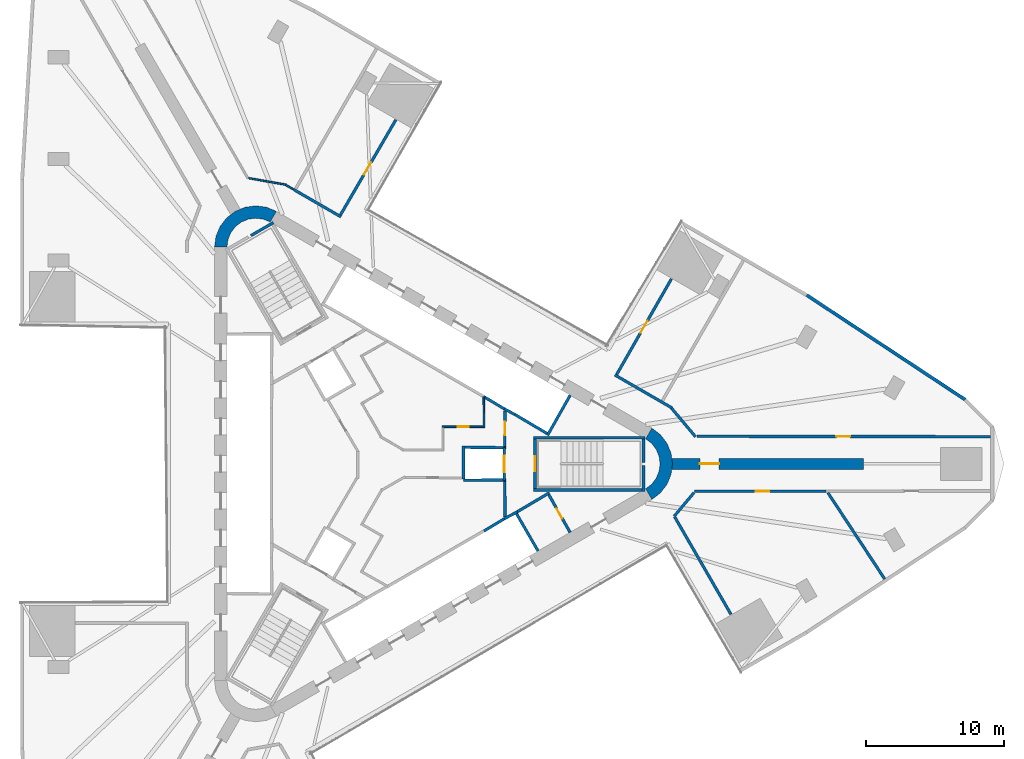
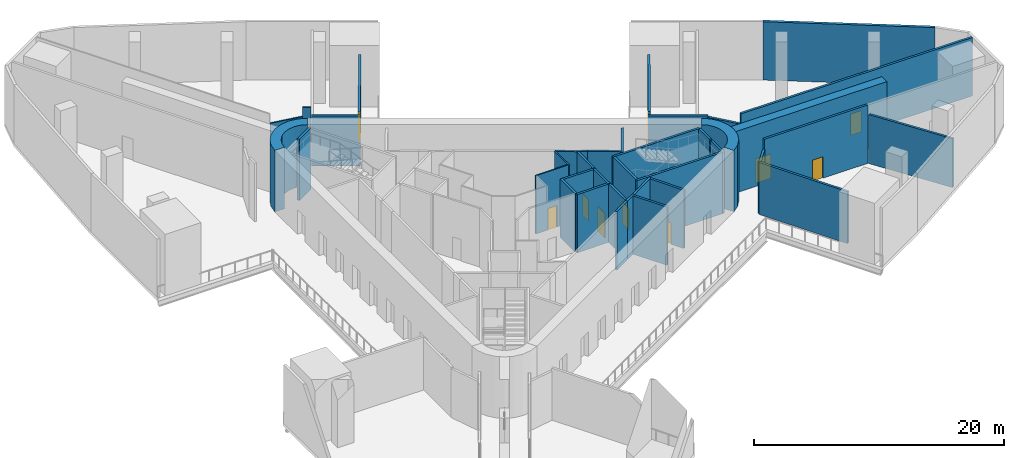
# One storey, part 6 of 11: 39 walls, 10 doors, 10 openings.
"""IFC4 building model written with IfcOpenShell, lengths in metres."""

from ifc_helpers import new_model, si_unit, direction, frame, frame_2d, origin, place, context, subcontext, project, spatial, polyline, rectangle, outline, extrude, material, layer, layer_set, type_object, element, fill, save


model = new_model("IFC4")

# Units and contexts
model_context = context("Model", 3, precision=1e-05, world=origin(), true_north=direction((0.0, 1.0)))
body_context = subcontext(model_context, "Body", "Model", "MODEL_VIEW")
ifc_project = project(units=[si_unit("LENGTHUNIT", "METRE"), si_unit("AREAUNIT", "SQUARE_METRE"), si_unit("VOLUMEUNIT", "CUBIC_METRE"), si_unit("PLANEANGLEUNIT", "RADIAN"), si_unit("MASSUNIT", "GRAM", prefix="KILO")], contexts=[model_context])

# Site, building, storey
site_placement = place(None, origin())
site = spatial("IfcSite", under=ifc_project, at=site_placement, CompositionType="ELEMENT")
building_placement = place(site_placement, origin())
building = spatial("IfcBuilding", under=site, at=building_placement, Name="Tanit Gate Tower", CompositionType="ELEMENT")
storey_placement = place(building_placement, frame((0.0, 0.0, 21.5)))
storey = spatial("IfcBuildingStorey", under=building, at=storey_placement, Name="L03", CompositionType="ELEMENT", Elevation=21.5)

# Wall, opening, door
ifc_material_1 = material(Name="Concrete C60/75", Category="concrete")
ifc_layer_1 = layer(ifc_material_1, 0.800048828125)
ifc_layer_set_1 = layer_set([ifc_layer_1], Name="BUTTRESS FIN 800 C60/75")
wall_type_1 = type_object("IfcWallType", Name="BUTTRESS FIN 800 C60/75", PredefinedType="SHEAR", material=ifc_layer_set_1)
wall_1_placement = place(storey_placement, frame((21.14990234375, 0.0, 0.0), z_axis=(0.0, 0.0, 1.0), x_axis=(1.0, 0.0, 0.0)))
wall_1 = element("IfcWall", 1, at=wall_1_placement, inside=storey, type_object=wall_type_1, Name="BUTTRESS FIN", PredefinedType="SHEAR", context=body_context, shape_type="SweptSolid", body=[
    extrude(rectangle(XDim=13.9541015625, YDim=0.800048828125, at=frame_2d((6.97705078125, 0.0))), origin(), (0.0, 0.0, 1.0), 6.0),
])
opening_1_placement = place(wall_1_placement, frame((2.050048828125, 0.0, 0.0)))
opening_1 = element("IfcOpeningElement", 2, at=opening_1_placement, cuts=wall_1, Name="Opening P14-03-F-E-1", PredefinedType="OPENING", context=body_context, shape_type="SweptSolid", body=[
    extrude(rectangle(XDim=1.39990234375, YDim=2.39990234375, at=frame_2d((0.699951171875, 1.199951171875))), frame((0.0, 0.41015625, 0.0), z_axis=(0.0, -1.0, 0.0), x_axis=(1.0, 0.0, 0.0)), (0.0, 0.0, 1.0), 0.820068359375),
])
ifc_material_2 = material(Name="Timber door leaf", Category="wood")
door_type_1 = type_object("IfcDoorType", Name="INT-DOOR-FIN-PAIR-1400", OperationType="NOTDEFINED", PredefinedType="NOTDEFINED", material=ifc_material_2)
door_1_placement = place(opening_1_placement, origin())
door_1 = element("IfcDoor", 3, at=door_1_placement, inside=storey, type_object=door_type_1, Name="Door P14-03-F-E-1", OperationType="DOUBLE_DOOR_SINGLE_SWING", OverallHeight=2.39990234375, OverallWidth=1.39990234375, PredefinedType="NOTDEFINED", context=body_context, shape_type="SweptSolid", body=[
    extrude(rectangle(XDim=1.39990234375, YDim=2.39990234375, at=frame_2d((0.699951171875, 1.199951171875))), frame((0.0, 0.02490234375, 0.0), z_axis=(0.0, -1.0, 0.0), x_axis=(1.0, 0.0, 0.0)), (0.0, 0.0, 1.0), 0.050048828125),
])
fill(opening_1, door_1)

# Walls
ifc_material_3 = material(Name="Concrete C60/75", Category="concrete")
ifc_layer_2 = layer(ifc_material_3, 0.89990234375)
ifc_layer_set_2 = layer_set([ifc_layer_2], Name="CORE WALL 900 C60/75")
wall_type_2 = type_object("IfcWallType", Name="CORE WALL 900 C60/75", PredefinedType="SHEAR", material=ifc_layer_set_2)
wall_2_placement = place(storey_placement, origin())
element("IfcWall", 4, at=wall_2_placement, inside=storey, type_object=wall_type_2, Name="CORE WALL CORNER", PredefinedType="SHEAR", context=body_context, shape_type="SweptSolid", body=[
    extrude(outline(polyline([(-7.60009765625, 18.359619140625), (-8.323486328125, 18.659423828125), (-9.10009765625, 18.76171875), (-9.87646484375, 18.659423828125), (-10.60009765625, 18.359619140625), (-11.22119140625, 17.883056640625), (-11.697998046875, 17.26171875), (-11.997802734375, 16.5380859375), (-12.10009765625, 15.76171875), (-11.199951171875, 15.76171875), (-11.12841796875, 16.30517578125), (-10.918701171875, 16.811767578125), (-10.5849609375, 17.24658203125), (-10.14990234375, 17.580322265625), (-9.6435546875, 17.7900390625), (-9.10009765625, 17.86181640625), (-8.556396484375, 17.7900390625), (-8.050048828125, 17.580322265625), (-7.60009765625, 18.359619140625)])), origin(), (0.0, 0.0, 1.0), 6.0),
])
wall_3_placement = place(storey_placement, origin())
element("IfcWall", 5, at=wall_3_placement, inside=storey, type_object=wall_type_2, Name="CORE WALL CORNER", PredefinedType="SHEAR", context=body_context, shape_type="SweptSolid", body=[
    extrude(outline(polyline([(19.699951171875, -2.59814453125), (20.3212890625, -2.121337890625), (20.798095703125, -1.5), (21.097900390625, -0.776611328125), (21.199951171875, 0.0), (21.097900390625, 0.776611328125), (20.798095703125, 1.5), (20.3212890625, 2.121337890625), (19.699951171875, 2.59814453125), (19.25, 1.818603515625), (19.684814453125, 1.48486328125), (20.018798828125, 1.050048828125), (20.228515625, 0.54345703125), (20.300048828125, 0.0), (20.228515625, -0.54345703125), (20.018798828125, -1.050048828125), (19.684814453125, -1.48486328125), (19.25, -1.818603515625), (19.699951171875, -2.59814453125)])), origin(), (0.0, 0.0, 1.0), 6.0),
])
ifc_material_4 = material(Name="Concrete C30/37 with bronze anodised aluminium cladding", Category="concrete")
ifc_layer_3 = layer(ifc_material_4, 0.239990234375)
ifc_layer_set_3 = layer_set([ifc_layer_3], Name="Facade wall bronze clad 240")
wall_type_3 = type_object("IfcWallType", Name="Facade wall bronze clad 240", PredefinedType="SOLIDWALL", material=ifc_layer_set_3)
wall_4_placement = place(storey_placement, frame((42.4873046875, 4.665771484375, 0.0), z_axis=(0.0, 0.0, 1.0), x_axis=(-0.834569880428, 0.550902091739, 0.0)))
element("IfcWall", 6, at=wall_4_placement, inside=storey, type_object=wall_type_3, Name="Bronze-clad facade wall L03 NE1", PredefinedType="SOLIDWALL", context=body_context, shape_type="SweptSolid", body=[
    extrude(rectangle(XDim=13.801513671875, YDim=0.239990234375, at=frame_2d((6.90087890625, 0.0))), origin(), (0.0, 0.0, 1.0), 5.699951171875),
])
ifc_material_5 = material(Name="Fire-rated gypsum board partition")
ifc_layer_4 = layer(ifc_material_5, 0.199951171875)
ifc_layer_set_4 = layer_set([ifc_layer_4], Name="INT-WALL-COMPARTMENT")
wall_type_4 = type_object("IfcWallType", Name="INT-WALL-COMPARTMENT", PredefinedType="PARTITIONING", material=ifc_layer_set_4)
wall_5_placement = place(storey_placement, frame((12.244873046875, -2.10888671875, 0.0), z_axis=(0.0, 0.0, 1.0), x_axis=(-0.860414880418, -0.509594185166, 0.0)))
element("IfcWall", 7, at=wall_5_placement, inside=storey, type_object=wall_type_4, Name="Wall Compartment W060", PredefinedType="PARTITIONING", context=body_context, shape_type="SweptSolid", body=[
    extrude(rectangle(XDim=2.7001953125, YDim=0.199951171875, at=frame_2d((1.35009765625, 0.0))), origin(), (0.0, 0.0, 1.0), 5.699951171875),
])

# Wall, opening, door
wall_6_placement = place(storey_placement, frame((13.758056640625, -4.989501953125, 0.0), z_axis=(0.0, 0.0, 1.0), x_axis=(-0.491993409184, 0.87059892334, 0.0)))
wall_6 = element("IfcWall", 8, at=wall_6_placement, inside=storey, type_object=wall_type_4, Name="Wall Compartment W061", PredefinedType="PARTITIONING", context=body_context, shape_type="SweptSolid", body=[
    extrude(rectangle(XDim=3.150146484375, YDim=0.199951171875, at=frame_2d((1.5751953125, 0.0))), origin(), (0.0, 0.0, 1.0), 5.699951171875),
])
opening_2_placement = place(wall_6_placement, frame((1.175048828125, 0.0, 0.0)))
opening_2 = element("IfcOpeningElement", 9, at=opening_2_placement, cuts=wall_6, Name="Opening R08-03-13", PredefinedType="OPENING", context=body_context, shape_type="SweptSolid", body=[
    extrude(rectangle(XDim=0.800048828125, YDim=2.10009765625, at=frame_2d((0.39990234375, 1.050048828125))), frame((0.0, 0.10986328125, 0.0), z_axis=(0.0, -1.0, 0.0), x_axis=(1.0, 0.0, 0.0)), (0.0, 0.0, 1.0), 0.219970703125),
])
ifc_material_6 = material(Name="Timber door leaf", Category="wood")
door_type_2 = type_object("IfcDoorType", Name="INT-DOOR-RISER-800", OperationType="NOTDEFINED", PredefinedType="USERDEFINED", material=ifc_material_6)
door_2_placement = place(opening_2_placement, origin())
door_2 = element("IfcDoor", 10, at=door_2_placement, inside=storey, type_object=door_type_2, Name="Door R08-03-13", ObjectType="FIRE DOOR", OperationType="SINGLE_SWING_RIGHT", OverallHeight=2.10009765625, OverallWidth=0.800048828125, PredefinedType="USERDEFINED", context=body_context, shape_type="SweptSolid", body=[
    extrude(rectangle(XDim=0.800048828125, YDim=2.10009765625, at=frame_2d((0.39990234375, 1.050048828125))), frame((0.0, 0.02490234375, 0.0), z_axis=(0.0, -1.0, 0.0), x_axis=(1.0, 0.0, 0.0)), (0.0, 0.0, 1.0), 0.050048828125),
])
fill(opening_2, door_2)

# Wall
wall_7_placement = place(storey_placement, frame((9.02880859375, -3.8505859375, 0.0), z_axis=(0.0, 0.0, 1.0), x_axis=(-0.010784614026, 0.999941844359, 0.0)))
element("IfcWall", 11, at=wall_7_placement, inside=storey, type_object=wall_type_4, Name="Wall Compartment W062", PredefinedType="PARTITIONING", context=body_context, shape_type="SweptSolid", body=[
    extrude(rectangle(XDim=2.580810546875, YDim=0.199951171875, at=frame_2d((1.29052734375, 0.0))), origin(), (0.0, 0.0, 1.0), 5.699951171875),
])

# Wall, opening, door
wall_8_placement = place(storey_placement, frame((9.0009765625, 1.27001953125, 0.0), z_axis=(0.0, 0.0, 1.0), x_axis=(0.010783593937, 0.99994185536, 0.0)))
wall_8 = element("IfcWall", 12, at=wall_8_placement, inside=storey, type_object=wall_type_4, Name="Wall Compartment W063", PredefinedType="PARTITIONING", context=body_context, shape_type="SweptSolid", body=[
    extrude(rectangle(XDim=2.5810546875, YDim=0.199951171875, at=frame_2d((1.29052734375, 0.0))), origin(), (0.0, 0.0, 1.0), 5.699951171875),
])
opening_3_placement = place(wall_8_placement, frame((0.79052734375, 0.0, 0.0)))
opening_3 = element("IfcOpeningElement", 13, at=opening_3_placement, cuts=wall_8, Name="Opening F10-03-02", PredefinedType="OPENING", context=body_context, shape_type="SweptSolid", body=[
    extrude(rectangle(XDim=1.0, YDim=2.10009765625, at=frame_2d((0.5, 1.050048828125))), frame((0.0, 0.10986328125, 0.0), z_axis=(0.0, -1.0, 0.0), x_axis=(1.0, 0.0, 0.0)), (0.0, 0.0, 1.0), 0.219970703125),
])
ifc_material_7 = material(Name="Fire-rated steel door leaf", Category="steel")
door_type_3 = type_object("IfcDoorType", Name="INT-DOOR-FIRE-1000", OperationType="NOTDEFINED", PredefinedType="USERDEFINED", material=ifc_material_7)
door_3_placement = place(opening_3_placement, origin())
door_3 = element("IfcDoor", 14, at=door_3_placement, inside=storey, type_object=door_type_3, Name="Door F10-03-02", ObjectType="FIRE DOOR", OperationType="SINGLE_SWING_LEFT", OverallHeight=2.10009765625, OverallWidth=1.0, PredefinedType="USERDEFINED", context=body_context, shape_type="SweptSolid", body=[
    extrude(rectangle(XDim=1.0, YDim=2.10009765625, at=frame_2d((0.5, 1.050048828125))), frame((0.0, 0.02490234375, 0.0), z_axis=(0.0, -1.0, 0.0), x_axis=(1.0, 0.0, 0.0)), (0.0, 0.0, 1.0), 0.050048828125),
])
fill(opening_3, door_3)

# Walls
wall_9_placement = place(storey_placement, frame((21.16064453125, 4.064208984375, 0.0), z_axis=(0.0, 0.0, 1.0), x_axis=(-0.865926843533, 0.500170672519, 0.0)))
element("IfcWall", 15, at=wall_9_placement, inside=storey, type_object=wall_type_4, Name="Wall Compartment W100", PredefinedType="PARTITIONING", context=body_context, shape_type="SweptSolid", body=[
    extrude(rectangle(XDim=4.793212890625, YDim=0.199951171875, at=frame_2d((2.396484375, 0.0))), origin(), (0.0, 0.0, 1.0), 4.8798828125),
])
wall_10_placement = place(storey_placement, frame((-2.908935546875, 17.9619140625, 0.0), z_axis=(0.0, 0.0, 1.0), x_axis=(-0.866156637233, 0.499772628079, 0.0)))
element("IfcWall", 16, at=wall_10_placement, inside=storey, type_object=wall_type_4, Name="Wall Compartment W105", PredefinedType="PARTITIONING", context=body_context, shape_type="SweptSolid", body=[
    extrude(rectangle(XDim=3.931396484375, YDim=0.199951171875, at=frame_2d((1.9658203125, 0.0))), origin(), (0.0, 0.0, 1.0), 4.8798828125),
])
wall_11_placement = place(storey_placement, frame((22.878662109375, 1.96435546875, 0.0), z_axis=(0.0, 0.0, 1.0), x_axis=(-0.642912827124, 0.765939355771, 0.0)))
element("IfcWall", 17, at=wall_11_placement, inside=storey, type_object=wall_type_4, Name="Wall Compartment W101", PredefinedType="PARTITIONING", context=body_context, shape_type="SweptSolid", body=[
    extrude(rectangle(XDim=2.706787109375, YDim=0.199951171875, at=frame_2d((1.353515625, 0.0))), origin(), (0.0, 0.0, 1.0), 4.780029296875),
])

# Wall, opening, door
wall_12_placement = place(storey_placement, frame((22.9794921875, 1.999755859375, 0.0), z_axis=(0.0, 0.0, 1.0), x_axis=(0.999999106495, -0.001336790278, 0.0)))
wall_12 = element("IfcWall", 18, at=wall_12_placement, inside=storey, type_object=wall_type_4, Name="Wall Compartment W102", PredefinedType="PARTITIONING", context=body_context, shape_type="SweptSolid", body=[
    extrude(rectangle(XDim=21.367919921875, YDim=0.199951171875, at=frame_2d((10.68408203125, 0.0))), origin(), (0.0, 0.0, 1.0), 5.699951171875),
])
opening_4_placement = place(wall_12_placement, frame((10.134033203125, 0.0, 0.0)))
opening_4 = element("IfcOpeningElement", 19, at=opening_4_placement, cuts=wall_12, Name="Opening F10-03-17", PredefinedType="OPENING", context=body_context, shape_type="SweptSolid", body=[
    extrude(rectangle(XDim=1.0, YDim=2.10009765625, at=frame_2d((0.5, 1.050048828125))), frame((0.0, 0.10986328125, 0.0), z_axis=(0.0, -1.0, 0.0), x_axis=(1.0, 0.0, 0.0)), (0.0, 0.0, 1.0), 0.219970703125),
])
door_4_placement = place(opening_4_placement, origin())
door_4 = element("IfcDoor", 20, at=door_4_placement, inside=storey, type_object=door_type_3, Name="Door F10-03-17", ObjectType="FIRE DOOR", OperationType="SINGLE_SWING_RIGHT", OverallHeight=2.10009765625, OverallWidth=1.0, PredefinedType="USERDEFINED", context=body_context, shape_type="SweptSolid", body=[
    extrude(rectangle(XDim=1.0, YDim=2.10009765625, at=frame_2d((0.5, 1.050048828125))), frame((0.0, 0.02490234375, 0.0), z_axis=(0.0, -1.0, 0.0), x_axis=(1.0, 0.0, 0.0)), (0.0, 0.0, 1.0), 0.050048828125),
])
fill(opening_4, door_4)

wall_13_placement = place(storey_placement, frame((17.146240234375, 6.49853515625, 0.0), z_axis=(0.0, 0.0, 1.0), x_axis=(0.496772917321, 0.867880561262, 0.0)))
wall_13 = element("IfcWall", 21, at=wall_13_placement, inside=storey, type_object=wall_type_4, Name="Wall Compartment W103", PredefinedType="PARTITIONING", context=body_context, shape_type="SweptSolid", body=[
    extrude(rectangle(XDim=8.00244140625, YDim=0.199951171875, at=frame_2d((4.001220703125, 0.0))), origin(), (0.0, 0.0, 1.0), 5.169921875),
])
opening_5_placement = place(wall_13_placement, frame((3.498779296875, 0.0, 0.0)))
opening_5 = element("IfcOpeningElement", 22, at=opening_5_placement, cuts=wall_13, Name="Opening F10-03-18", PredefinedType="OPENING", context=body_context, shape_type="SweptSolid", body=[
    extrude(rectangle(XDim=1.0, YDim=2.10009765625, at=frame_2d((0.5, 1.050048828125))), frame((0.0, 0.10986328125, 0.0), z_axis=(0.0, -1.0, 0.0), x_axis=(1.0, 0.0, 0.0)), (0.0, 0.0, 1.0), 0.219970703125),
])
door_5_placement = place(opening_5_placement, origin())
door_5 = element("IfcDoor", 23, at=door_5_placement, inside=storey, type_object=door_type_3, Name="Door F10-03-18", ObjectType="FIRE DOOR", OperationType="SINGLE_SWING_LEFT", OverallHeight=2.10009765625, OverallWidth=1.0, PredefinedType="USERDEFINED", context=body_context, shape_type="SweptSolid", body=[
    extrude(rectangle(XDim=1.0, YDim=2.10009765625, at=frame_2d((0.5, 1.050048828125))), frame((0.0, 0.02490234375, 0.0), z_axis=(0.0, -1.0, 0.0), x_axis=(1.0, 0.0, 0.0)), (0.0, 0.0, 1.0), 0.050048828125),
])
fill(opening_5, door_5)

wall_14_placement = place(storey_placement, frame((-2.9453125, 18.098388671875, 0.0), z_axis=(0.0, 0.0, 1.0), x_axis=(0.503235430028, 0.864149351654, 0.0)))
wall_14 = element("IfcWall", 24, at=wall_14_placement, inside=storey, type_object=wall_type_4, Name="Wall Compartment W106", PredefinedType="PARTITIONING", context=body_context, shape_type="SweptSolid", body=[
    extrude(rectangle(XDim=8.00244140625, YDim=0.199951171875, at=frame_2d((4.001220703125, 0.0))), origin(), (0.0, 0.0, 1.0), 5.169921875),
])
opening_6_placement = place(wall_14_placement, frame((3.40234375, 0.0, 0.0)))
opening_6 = element("IfcOpeningElement", 25, at=opening_6_placement, cuts=wall_14, Name="Opening F10-03-19", PredefinedType="OPENING", context=body_context, shape_type="SweptSolid", body=[
    extrude(rectangle(XDim=1.0, YDim=2.10009765625, at=frame_2d((0.5, 1.050048828125))), frame((0.0, 0.10986328125, 0.0), z_axis=(0.0, -1.0, 0.0), x_axis=(1.0, 0.0, 0.0)), (0.0, 0.0, 1.0), 0.219970703125),
])
door_6_placement = place(opening_6_placement, origin())
door_6 = element("IfcDoor", 26, at=door_6_placement, inside=storey, type_object=door_type_3, Name="Door F10-03-19", ObjectType="FIRE DOOR", OperationType="SINGLE_SWING_RIGHT", OverallHeight=2.10009765625, OverallWidth=1.0, PredefinedType="USERDEFINED", context=body_context, shape_type="SweptSolid", body=[
    extrude(rectangle(XDim=1.0, YDim=2.10009765625, at=frame_2d((0.5, 1.050048828125))), frame((0.0, 0.02490234375, 0.0), z_axis=(0.0, -1.0, 0.0), x_axis=(1.0, 0.0, 0.0)), (0.0, 0.0, 1.0), 0.050048828125),
])
fill(opening_6, door_6)

wall_15_placement = place(storey_placement, frame((32.374755859375, -2.0, 0.0), z_axis=(0.0, 0.0, 1.0), x_axis=(-1.0, 0.0, 0.0)))
wall_15 = element("IfcWall", 27, at=wall_15_placement, inside=storey, type_object=wall_type_4, Name="Wall Compartment W116", PredefinedType="PARTITIONING", context=body_context, shape_type="SweptSolid", body=[
    extrude(rectangle(XDim=9.57275390625, YDim=0.199951171875, at=frame_2d((4.786376953125, 0.0))), origin(), (0.0, 0.0, 1.0), 5.699951171875),
])
opening_7_placement = place(wall_15_placement, frame((4.126708984375, 0.0, 0.0)))
opening_7 = element("IfcOpeningElement", 28, at=opening_7_placement, cuts=wall_15, Name="Opening F10-03-23", PredefinedType="OPENING", context=body_context, shape_type="SweptSolid", body=[
    extrude(rectangle(XDim=1.0, YDim=2.10009765625, at=frame_2d((0.5, 1.050048828125))), frame((0.0, 0.10986328125, 0.0), z_axis=(0.0, -1.0, 0.0), x_axis=(1.0, 0.0, 0.0)), (0.0, 0.0, 1.0), 0.219970703125),
])
door_7_placement = place(opening_7_placement, origin())
door_7 = element("IfcDoor", 29, at=door_7_placement, inside=storey, type_object=door_type_3, Name="Door F10-03-23", ObjectType="FIRE DOOR", OperationType="SINGLE_SWING_LEFT", OverallHeight=2.10009765625, OverallWidth=1.0, PredefinedType="USERDEFINED", context=body_context, shape_type="SweptSolid", body=[
    extrude(rectangle(XDim=1.0, YDim=2.10009765625, at=frame_2d((0.5, 1.050048828125))), frame((0.0, 0.02490234375, 0.0), z_axis=(0.0, -1.0, 0.0), x_axis=(1.0, 0.0, 0.0)), (0.0, 0.0, 1.0), 0.050048828125),
])
fill(opening_7, door_7)

# Walls
wall_16_placement = place(storey_placement, frame((21.33154296875, -3.807373046875, 0.0), z_axis=(0.0, 0.0, 1.0), x_axis=(0.642927476008, 0.765927059578, 0.0)))
element("IfcWall", 30, at=wall_16_placement, inside=storey, type_object=wall_type_4, Name="Wall Compartment W117", PredefinedType="PARTITIONING", context=body_context, shape_type="SweptSolid", body=[
    extrude(rectangle(XDim=2.22900390625, YDim=0.199951171875, at=frame_2d((1.114501953125, 0.0))), origin(), (0.0, 0.0, 1.0), 4.780029296875),
])
wall_17_placement = place(storey_placement, frame((25.45166015625, -10.943603515625, 0.0), z_axis=(0.0, 0.0, 1.0), x_axis=(-0.499992958048, 0.866029469419, 0.0)))
element("IfcWall", 31, at=wall_17_placement, inside=storey, type_object=wall_type_4, Name="Wall Compartment W118", PredefinedType="PARTITIONING", context=body_context, shape_type="SweptSolid", body=[
    extrude(rectangle(XDim=8.203125, YDim=0.199951171875, at=frame_2d((4.1015625, 0.0))), origin(), (0.0, 0.0, 1.0), 5.070068359375),
])
wall_18_placement = place(storey_placement, frame((36.633544921875, -8.37841796875, 0.0), z_axis=(0.0, 0.0, 1.0), x_axis=(-0.549584280898, 0.835438279102, 0.0)))
element("IfcWall", 32, at=wall_18_placement, inside=storey, type_object=wall_type_4, Name="Wall Compartment W121", PredefinedType="PARTITIONING", context=body_context, shape_type="SweptSolid", body=[
    extrude(rectangle(XDim=7.514892578125, YDim=0.199951171875, at=frame_2d((3.75732421875, 0.0))), origin(), (0.0, 0.0, 1.0), 4.780029296875),
])
ifc_material_8 = material(Name="Gypsum board partition")
ifc_layer_5 = layer(ifc_material_8, 0.1201171875)
ifc_layer_set_5 = layer_set([ifc_layer_5], Name="INT-WALL-PARTITION")
wall_type_5 = type_object("IfcWallType", Name="INT-WALL-PARTITION", PredefinedType="PARTITIONING", material=ifc_layer_set_5)
wall_19_placement = place(storey_placement, frame((7.500732421875, 2.639892578125, 0.0), z_axis=(0.0, 0.0, 1.0), x_axis=(-0.01174194727, 0.999931060961, 0.0)))
element("IfcWall", 33, at=wall_19_placement, inside=storey, type_object=wall_type_5, Name="Wall Partition W077", PredefinedType="PARTITIONING", context=body_context, shape_type="SweptSolid", body=[
    extrude(rectangle(XDim=2.224853515625, YDim=0.1201171875, at=frame_2d((1.1123046875, 0.0))), origin(), (0.0, 0.0, 1.0), 5.699951171875),
])

# Wall, opening, door
wall_20_placement = place(storey_placement, frame((4.43994140625, 2.699951171875, 0.0), z_axis=(0.0, 0.0, 1.0), x_axis=(1.0, 0.0, 0.0)))
wall_20 = element("IfcWall", 34, at=wall_20_placement, inside=storey, type_object=wall_type_5, Name="Wall Partition W078", PredefinedType="PARTITIONING", context=body_context, shape_type="SweptSolid", body=[
    extrude(rectangle(XDim=3.0, YDim=0.1201171875, at=frame_2d((1.5, 0.0))), origin(), (0.0, 0.0, 1.0), 5.699951171875),
])
opening_8_placement = place(wall_20_placement, frame((1.1298828125, 0.0, 0.0)))
opening_8 = element("IfcOpeningElement", 35, at=opening_8_placement, cuts=wall_20, Name="Opening R08-03-12", PredefinedType="OPENING", context=body_context, shape_type="SweptSolid", body=[
    extrude(rectangle(XDim=0.800048828125, YDim=2.10009765625, at=frame_2d((0.39990234375, 1.050048828125))), frame((0.0, 0.070068359375, 0.0), z_axis=(0.0, -1.0, 0.0), x_axis=(1.0, 0.0, 0.0)), (0.0, 0.0, 1.0), 0.14013671875),
])
door_8_placement = place(opening_8_placement, origin())
door_8 = element("IfcDoor", 36, at=door_8_placement, inside=storey, type_object=door_type_2, Name="Door R08-03-12", ObjectType="FIRE DOOR", OperationType="SINGLE_SWING_RIGHT", OverallHeight=2.10009765625, OverallWidth=0.800048828125, PredefinedType="USERDEFINED", context=body_context, shape_type="SweptSolid", body=[
    extrude(rectangle(XDim=0.800048828125, YDim=2.10009765625, at=frame_2d((0.39990234375, 1.050048828125))), frame((0.0, 0.02490234375, 0.0), z_axis=(0.0, -1.0, 0.0), x_axis=(1.0, 0.0, 0.0)), (0.0, 0.0, 1.0), 0.050048828125),
])
fill(opening_8, door_8)

# Walls
wall_21_placement = place(storey_placement, frame((-6.9150390625, 20.29736328125, 0.0), z_axis=(0.0, 0.0, 1.0), x_axis=(-0.984779973114, 0.173805651674, 0.0)))
element("IfcWall", 37, at=wall_21_placement, inside=storey, type_object=wall_type_5, Name="Wall Partition W108", PredefinedType="PARTITIONING", context=body_context, shape_type="SweptSolid", body=[
    extrude(rectangle(XDim=2.741943359375, YDim=0.1201171875, at=frame_2d((1.37109375, 0.0))), origin(), (0.0, 0.0, 1.0), 4.780029296875),
])
wall_22_placement = place(storey_placement, frame((-6.348876953125, 19.94677734375, 0.0), z_axis=(0.0, 0.0, 1.0), x_axis=(-0.865964461276, 0.500105540669, 0.0)))
element("IfcWall", 38, at=wall_22_placement, inside=storey, type_object=wall_type_5, Name="Wall Partition W109", PredefinedType="PARTITIONING", context=body_context, shape_type="SweptSolid", body=[
    extrude(rectangle(XDim=0.661865234375, YDim=0.1201171875, at=frame_2d((0.3310546875, 0.0))), origin(), (0.0, 0.0, 1.0), 5.699951171875),
])
ifc_material_9 = material(Name="Gypsum shaft wall system")
ifc_layer_6 = layer(ifc_material_9, 0.199951171875)
ifc_layer_set_6 = layer_set([ifc_layer_6], Name="INT-WALL-SHAFT")
wall_type_6 = type_object("IfcWallType", Name="INT-WALL-SHAFT", PredefinedType="PLUMBINGWALL", material=ifc_layer_set_6)
wall_23_placement = place(storey_placement, frame((12.10986328125, 2.07275390625, 0.0), z_axis=(0.0, 0.0, 1.0), x_axis=(0.49196600604, 0.870614408852, 0.0)))
element("IfcWall", 39, at=wall_23_placement, inside=storey, type_object=wall_type_6, Name="Wall Shaft W013", PredefinedType="PLUMBINGWALL", context=body_context, shape_type="SweptSolid", body=[
    extrude(rectangle(XDim=3.35009765625, YDim=0.199951171875, at=frame_2d((1.675048828125, 0.0))), origin(), (0.0, 0.0, 1.0), 5.699951171875),
])
wall_24_placement = place(storey_placement, frame((12.072998046875, 2.2109375, 0.0), z_axis=(0.0, 0.0, 1.0), x_axis=(-0.860438357912, 0.509554542943, 0.0)))
element("IfcWall", 40, at=wall_24_placement, inside=storey, type_object=wall_type_6, Name="Wall Shaft W014", PredefinedType="PLUMBINGWALL", context=body_context, shape_type="SweptSolid", body=[
    extrude(rectangle(XDim=2.700439453125, YDim=0.199951171875, at=frame_2d((1.35009765625, 0.0))), origin(), (0.0, 0.0, 1.0), 5.699951171875),
])
wall_25_placement = place(storey_placement, frame((9.74755859375, 3.583251953125, 0.0), z_axis=(0.0, 0.0, 1.0), x_axis=(-0.880917147855, 0.473270513147, 0.0)))
element("IfcWall", 41, at=wall_25_placement, inside=storey, type_object=wall_type_6, Name="Wall Shaft W015", PredefinedType="PLUMBINGWALL", context=body_context, shape_type="SweptSolid", body=[
    extrude(rectangle(XDim=0.8779296875, YDim=0.199951171875, at=frame_2d((0.43896484375, 0.0))), origin(), (0.0, 0.0, 1.0), 5.699951171875),
])
wall_26_placement = place(storey_placement, frame((9.07958984375, 3.93701171875, 0.0), z_axis=(0.0, 0.0, 1.0), x_axis=(-0.859981807212, 0.510324691999, 0.0)))
element("IfcWall", 42, at=wall_26_placement, inside=storey, type_object=wall_type_6, Name="Wall Shaft W016", PredefinedType="PLUMBINGWALL", context=body_context, shape_type="SweptSolid", body=[
    extrude(rectangle(XDim=1.8447265625, YDim=0.199951171875, at=frame_2d((0.92236328125, 0.0))), origin(), (0.0, 0.0, 1.0), 5.699951171875),
])
wall_27_placement = place(storey_placement, frame((9.794677734375, -3.52490234375, 0.0), z_axis=(0.0, 0.0, 1.0), x_axis=(0.499984717929, -0.866034226713, 0.0)))
element("IfcWall", 43, at=wall_27_placement, inside=storey, type_object=wall_type_6, Name="Wall Shaft W024", PredefinedType="PLUMBINGWALL", context=body_context, shape_type="SweptSolid", body=[
    extrude(rectangle(XDim=3.25, YDim=0.199951171875, at=frame_2d((1.625, 0.0))), origin(), (0.0, 0.0, 1.0), 5.699951171875),
])
wall_28_placement = place(storey_placement, frame((8.97412109375, -3.998779296875, 0.0), z_axis=(0.0, 0.0, 1.0), x_axis=(0.880907015104, 0.473289373154, 0.0)))
element("IfcWall", 44, at=wall_28_placement, inside=storey, type_object=wall_type_6, Name="Wall Shaft W025", PredefinedType="PLUMBINGWALL", context=body_context, shape_type="SweptSolid", body=[
    extrude(rectangle(XDim=1.078125, YDim=0.199951171875, at=frame_2d((0.5390625, 0.0))), origin(), (0.0, 0.0, 1.0), 5.699951171875),
])
wall_29_placement = place(storey_placement, frame((7.497314453125, -4.885986328125, 0.0), z_axis=(0.0, 0.0, 1.0), x_axis=(0.857516281273, 0.51445682749, 0.0)))
element("IfcWall", 45, at=wall_29_placement, inside=storey, type_object=wall_type_6, Name="Wall Shaft W026", PredefinedType="PLUMBINGWALL", context=body_context, shape_type="SweptSolid", body=[
    extrude(rectangle(XDim=1.8447265625, YDim=0.199951171875, at=frame_2d((0.92236328125, 0.0))), origin(), (0.0, 0.0, 1.0), 5.699951171875),
])

# Wall, opening, door
wall_30_placement = place(storey_placement, frame((8.969970703125, 1.199951171875, 0.0), z_axis=(0.0, 0.0, 1.0), x_axis=(0.0, -1.0, 0.0)))
wall_30 = element("IfcWall", 46, at=wall_30_placement, inside=storey, type_object=wall_type_6, Name="Wall Shaft W038", PredefinedType="PLUMBINGWALL", context=body_context, shape_type="SweptSolid", body=[
    extrude(rectangle(XDim=2.39990234375, YDim=0.199951171875, at=frame_2d((1.199951171875, 0.0))), origin(), (0.0, 0.0, 1.0), 5.699951171875),
])
opening_9_placement = place(wall_30_placement, frame((0.60009765625, 0.0, 0.0)))
opening_9 = element("IfcOpeningElement", 47, at=opening_9_placement, cuts=wall_30, Name="Opening LDFL1-L03", PredefinedType="OPENING", context=body_context, shape_type="SweptSolid", body=[
    extrude(rectangle(XDim=1.199951171875, YDim=2.39990234375, at=frame_2d((0.60009765625, 1.199951171875))), frame((0.0, 0.10986328125, 0.0), z_axis=(0.0, -1.0, 0.0), x_axis=(1.0, 0.0, 0.0)), (0.0, 0.0, 1.0), 0.219970703125),
])
ifc_material_10 = material(Name="Stainless steel sliding door leaf", Category="steel")
door_type_4 = type_object("IfcDoorType", Name="INT-DOOR-LANDING-1200", OperationType="NOTDEFINED", PredefinedType="USERDEFINED", material=ifc_material_10)
door_9_placement = place(opening_9_placement, origin())
door_9 = element("IfcDoor", 48, at=door_9_placement, inside=storey, type_object=door_type_4, Name="Door LDFL1-L03", ObjectType="LANDING DOOR", OperationType="SLIDING_TO_LEFT", OverallHeight=2.39990234375, OverallWidth=1.199951171875, PredefinedType="USERDEFINED", context=body_context, shape_type="SweptSolid", body=[
    extrude(rectangle(XDim=1.199951171875, YDim=2.39990234375, at=frame_2d((0.60009765625, 1.199951171875))), frame((0.0, 0.02490234375, 0.0), z_axis=(0.0, -1.0, 0.0), x_axis=(1.0, 0.0, 0.0)), (0.0, 0.0, 1.0), 0.050048828125),
])
fill(opening_9, door_9)

# Walls
wall_31_placement = place(storey_placement, frame((9.10009765625, -1.1689453125, 0.0), z_axis=(0.0, 0.0, 1.0), x_axis=(-0.999949988, -0.010001074852, 0.0)))
element("IfcWall", 49, at=wall_31_placement, inside=storey, type_object=wall_type_6, Name="Wall Shaft W039", PredefinedType="PLUMBINGWALL", context=body_context, shape_type="SweptSolid", body=[
    extrude(rectangle(XDim=3.100341796875, YDim=0.199951171875, at=frame_2d((1.55029296875, 0.0))), origin(), (0.0, 0.0, 1.0), 5.699951171875),
])
wall_32_placement = place(storey_placement, frame((6.0, -1.1044921875, 0.0), z_axis=(0.0, 0.0, 1.0), x_axis=(0.0, 1.0, 0.0)))
element("IfcWall", 50, at=wall_32_placement, inside=storey, type_object=wall_type_6, Name="Wall Shaft W040", PredefinedType="PLUMBINGWALL", context=body_context, shape_type="SweptSolid", body=[
    extrude(rectangle(XDim=2.404541015625, YDim=0.199951171875, at=frame_2d((1.2021484375, 0.0))), origin(), (0.0, 0.0, 1.0), 5.699951171875),
])
wall_33_placement = place(storey_placement, frame((9.10009765625, 1.1689453125, 0.0), z_axis=(0.0, 0.0, 1.0), x_axis=(-0.99994990606, 0.010009264196, 0.0)))
element("IfcWall", 51, at=wall_33_placement, inside=storey, type_object=wall_type_6, Name="Wall Shaft W041", PredefinedType="PLUMBINGWALL", context=body_context, shape_type="SweptSolid", body=[
    extrude(rectangle(XDim=3.000244140625, YDim=0.199951171875, at=frame_2d((1.5, 0.0))), origin(), (0.0, 0.0, 1.0), 5.699951171875),
])
ifc_material_11 = material(Name="Concrete C40/50", Category="concrete")
ifc_layer_7 = layer(ifc_material_11, 0.199951171875)
ifc_layer_set_7 = layer_set([ifc_layer_7], Name="INT-WALL-STAIR")
wall_type_7 = type_object("IfcWallType", Name="INT-WALL-STAIR", PredefinedType="SHEAR", material=ifc_layer_set_7)
wall_34_placement = place(storey_placement, frame((19.199951171875, 1.89990234375, -0.300048828125), z_axis=(0.0, 0.0, 1.0), x_axis=(-1.0, 0.0, 0.0)))
element("IfcWall", 52, at=wall_34_placement, inside=storey, type_object=wall_type_7, Name="Wall Stair W033", PredefinedType="SHEAR", context=body_context, shape_type="SweptSolid", body=[
    extrude(rectangle(XDim=8.099853515625, YDim=0.199951171875, at=frame_2d((4.0498046875, 0.0))), origin(), (0.0, 0.0, 1.0), 6.0),
])
wall_35_placement = place(storey_placement, frame((19.10009765625, -2.0, -0.300048828125), z_axis=(0.0, 0.0, 1.0), x_axis=(0.0, 1.0, 0.0)))
element("IfcWall", 53, at=wall_35_placement, inside=storey, type_object=wall_type_7, Name="Wall Stair W035", PredefinedType="SHEAR", context=body_context, shape_type="SweptSolid", body=[
    extrude(rectangle(XDim=1.889892578125, YDim=0.199951171875, at=frame_2d((0.94482421875, 0.0))), origin(), (0.0, 0.0, 1.0), 6.0),
])
wall_36_placement = place(storey_placement, frame((19.10009765625, 0.110107421875, -0.300048828125), z_axis=(0.0, 0.0, 1.0), x_axis=(0.0, 1.0, 0.0)))
element("IfcWall", 54, at=wall_36_placement, inside=storey, type_object=wall_type_7, Name="Wall Stair W034", PredefinedType="SHEAR", context=body_context, shape_type="SweptSolid", body=[
    extrude(rectangle(XDim=1.68994140625, YDim=0.199951171875, at=frame_2d((0.844970703125, 0.0))), origin(), (0.0, 0.0, 1.0), 6.0),
])
wall_37_placement = place(storey_placement, frame((11.10009765625, -1.89990234375, -0.300048828125), z_axis=(0.0, 0.0, 1.0), x_axis=(1.0, 0.0, 0.0)))
element("IfcWall", 55, at=wall_37_placement, inside=storey, type_object=wall_type_7, Name="Wall Stair W036", PredefinedType="SHEAR", context=body_context, shape_type="SweptSolid", body=[
    extrude(rectangle(XDim=7.89990234375, YDim=0.199951171875, at=frame_2d((3.949951171875, 0.0))), origin(), (0.0, 0.0, 1.0), 6.0),
])

# Wall, opening, door
wall_38_placement = place(storey_placement, frame((11.199951171875, -1.800048828125, -0.300048828125), z_axis=(0.0, 0.0, 1.0), x_axis=(0.0, 1.0, 0.0)))
wall_38 = element("IfcWall", 56, at=wall_38_placement, inside=storey, type_object=wall_type_7, Name="Wall Stair W037", PredefinedType="SHEAR", context=body_context, shape_type="SweptSolid", body=[
    extrude(rectangle(XDim=3.60009765625, YDim=0.199951171875, at=frame_2d((1.800048828125, 0.0))), origin(), (0.0, 0.0, 1.0), 6.0),
])
opening_10_placement = place(wall_38_placement, frame((1.25, 0.0, 0.300048828125)))
opening_10 = element("IfcOpeningElement", 57, at=opening_10_placement, cuts=wall_38, Name="Opening S11-03-01", PredefinedType="OPENING", context=body_context, shape_type="SweptSolid", body=[
    extrude(rectangle(XDim=1.10009765625, YDim=2.10009765625, at=frame_2d((0.550048828125, 1.050048828125))), frame((0.0, 0.10986328125, 0.0), z_axis=(0.0, -1.0, 0.0), x_axis=(1.0, 0.0, 0.0)), (0.0, 0.0, 1.0), 0.219970703125),
])
ifc_material_12 = material(Name="Timber door leaf", Category="wood")
door_type_5 = type_object("IfcDoorType", Name="INT-DOOR-STAIR-1100", OperationType="NOTDEFINED", PredefinedType="USERDEFINED", material=ifc_material_12)
door_10_placement = place(opening_10_placement, origin())
door_10 = element("IfcDoor", 58, at=door_10_placement, inside=storey, type_object=door_type_5, Name="Door S11-03-01", ObjectType="FIRE DOOR", OperationType="SINGLE_SWING_RIGHT", OverallHeight=2.10009765625, OverallWidth=1.10009765625, PredefinedType="USERDEFINED", context=body_context, shape_type="SweptSolid", body=[
    extrude(rectangle(XDim=1.10009765625, YDim=2.10009765625, at=frame_2d((0.550048828125, 1.050048828125))), frame((0.0, 0.02490234375, 0.0), z_axis=(0.0, -1.0, 0.0), x_axis=(1.0, 0.0, 0.0)), (0.0, 0.0, 1.0), 0.050048828125),
])
fill(opening_10, door_10)

# Wall
wall_39_placement = place(storey_placement, frame((-7.81787109375, 17.541015625, -0.300048828125), z_axis=(0.0, 0.0, 1.0), x_axis=(-0.866088799389, -0.499890179513, 0.0)))
element("IfcWall", 59, at=wall_39_placement, inside=storey, type_object=wall_type_7, Name="Wall Stair W044", PredefinedType="SHEAR", context=body_context, shape_type="SweptSolid", body=[
    extrude(rectangle(XDim=1.89013671875, YDim=0.199951171875, at=frame_2d((0.945068359375, 0.0))), origin(), (0.0, 0.0, 1.0), 6.0),
])

save(model, "model.ifc")
